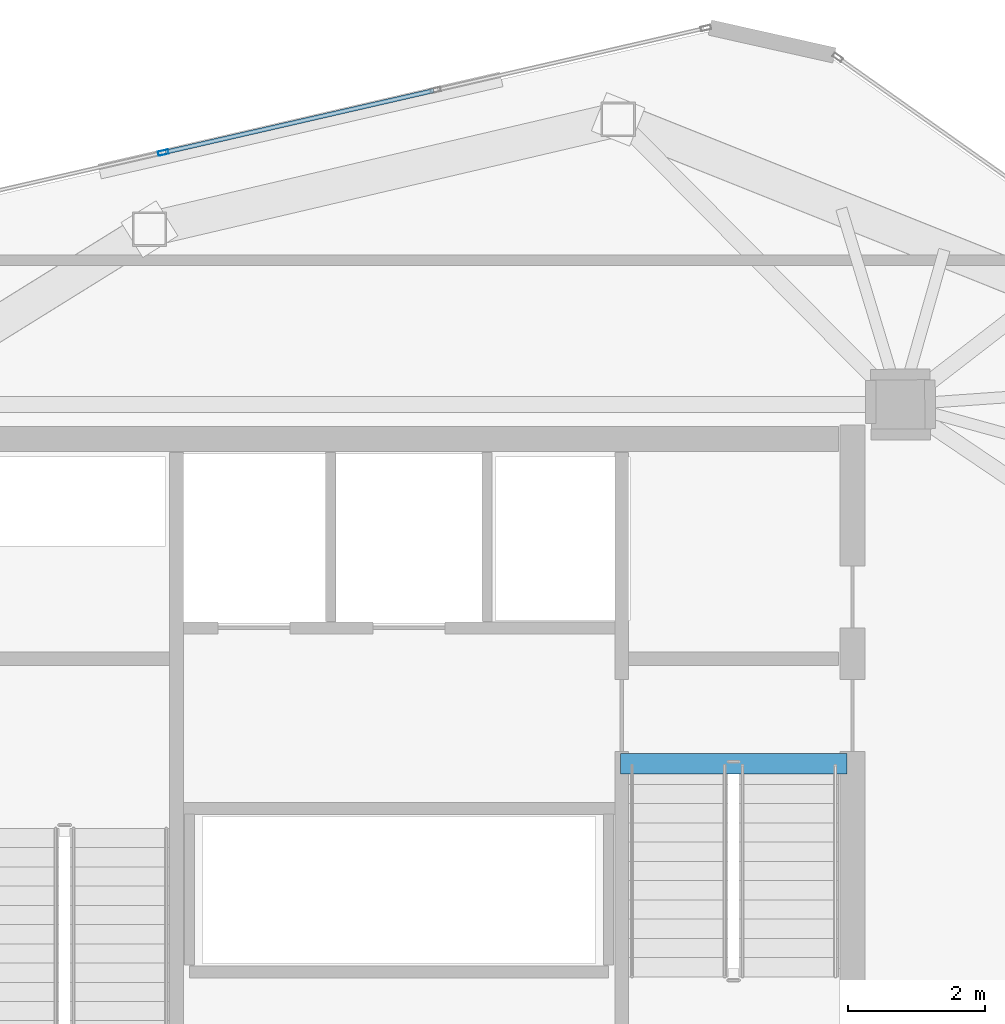
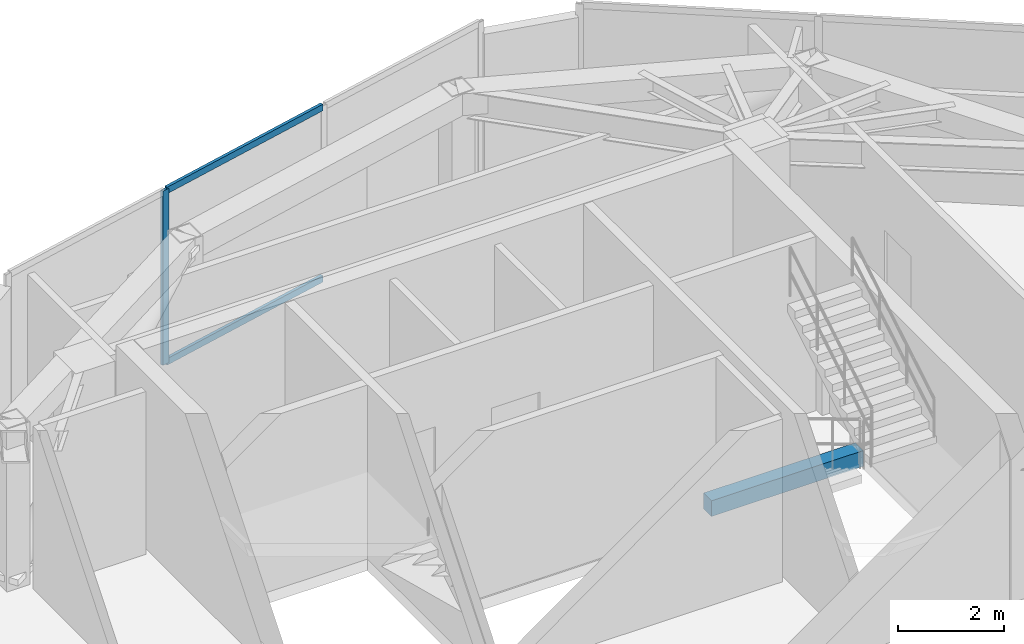
# One storey, part 12 of 21: 3 members, 1 beam, 1 element without a shape of its own.
"""IFC4 building model written with IfcOpenShell, lengths in metres."""

from ifc_helpers import new_model, si_unit, direction, frame, origin, origin_2d, place, context, subcontext, project, spatial, rectangle, hollow_rectangle, extrude, source, transform, mapped, material, layer, layer_set, material_profile, profile_set, type_object, type_shapes, element, aggregate, save


model = new_model("IFC4")

# Units and contexts
model_context = context("Model", 3, precision=1e-05, world=origin(), true_north=direction((0.0, 1.0)))
body_context = subcontext(model_context, "Body", "Model", "MODEL_VIEW")
ifc_project = project(units=[si_unit("LENGTHUNIT", "METRE"), si_unit("AREAUNIT", "SQUARE_METRE"), si_unit("VOLUMEUNIT", "CUBIC_METRE"), si_unit("PLANEANGLEUNIT", "RADIAN"), si_unit("MASSUNIT", "GRAM", prefix="KILO")], contexts=[model_context])

# Site, building, storey
site_placement = place(None, origin())
site = spatial("IfcSite", under=ifc_project, at=site_placement, CompositionType="ELEMENT")
building_placement = place(site_placement, origin())
building = spatial("IfcBuilding", under=site, at=building_placement, Name="Talar Marvaseh", CompositionType="ELEMENT")
storey_placement = place(building_placement, frame((0.0, 0.0, 304.0)))
storey = spatial("IfcBuildingStorey", under=building, at=storey_placement, Name="L81", CompositionType="ELEMENT", Elevation=304.0)

# Beam
ifc_material_1 = material(Name="Concrete C40/50", Category="concrete")
ifc_material_profile_1 = material_profile(ifc_material_1, rectangle(XDim=0.300048828125, YDim=0.360107421875, at=origin_2d()), Name="RC300x360")
ifc_profile_set_1 = profile_set([ifc_material_profile_1], Name="Concrete C40/50")
beam_type = type_object("IfcBeamType", Name="Concrete Stair Landing Trimmer Beam RC300x360", PredefinedType="SPANDREL", material=ifc_profile_set_1)
beam_placement = place(storey_placement, frame((29.219970703125, 31.669921875, -0.179931640625), z_axis=(1.0, 0.0, 0.0), x_axis=(0.0, 1.0, 0.0)))
element("IfcBeam", 1, at=beam_placement, inside=storey, type_object=beam_type, Name="L81 ST-2 Stair Nosing Trimmer Beam", PredefinedType="SPANDREL", context=body_context, shape_type="SweptSolid", body=[
    extrude(rectangle(XDim=0.300048828125, YDim=0.360107421875, at=origin_2d()), origin(), (0.0, 0.0, 1.0), 3.300048828125),
])

# Curtain wall, members
ifc_material_2 = material(Name="Architectural Aluminium", Category="aluminium")
ifc_layer = layer(ifc_material_2, 0.2099609375)
ifc_layer_set = layer_set([ifc_layer], Name="Architectural Aluminium")
curtain_wall_type = type_object("IfcCurtainWallType", Name="Crown Plant Acoustic Spandrel Curtain Wall", PredefinedType="NOTDEFINED", material=ifc_layer_set)
curtain_wall_placement = place(storey_placement, origin())
curtain_wall = element("IfcCurtainWall", 2, at=curtain_wall_placement, inside=storey, type_object=curtain_wall_type, Name="L81 Crown Plant Acoustic Spandrel Curtain Wall", PredefinedType="NOTDEFINED")
ifc_material_profile_2 = material_profile(ifc_material_2, hollow_rectangle(XDim=0.06494140625, YDim=0.14990234375, WallThickness=0.00390625, at=origin_2d()), Name="RHS150x65x4")
ifc_profile_set_2 = profile_set([ifc_material_profile_2], Name="Architectural Aluminium")
member_type_1 = type_object("IfcMemberType", Name="Unitised Curtain Wall Slim Transom RHS150x65x4", PredefinedType="USERDEFINED", material=ifc_profile_set_2)
shared_shape_1 = source(origin(), body_context, "Body", "SweptSolid", [
    extrude(hollow_rectangle(XDim=0.06494140625, YDim=0.14990234375, WallThickness=0.00390625, at=origin_2d()), origin(), (0.0, 0.0, 1.0), 4.00390625),
])
type_shapes(member_type_1, [shared_shape_1])
member_1_placement = place(storey_placement, frame((22.5986328125, 40.5751953125, 0.032470703125), z_axis=(0.974639299304, 0.223781670949, 0.0), x_axis=(-0.223781670949, 0.974639299304, 0.0)))
member_1 = element("IfcMember", 3, at=member_1_placement, type_object=member_type_1, Name="CW-CRN transom 2.1", ObjectType="TRANSOM", PredefinedType="USERDEFINED", context=body_context, shape_type="MappedRepresentation", body=[
    mapped(shared_shape_1, transform((0.0, 0.0, 0.0), x_axis=(1.0, 0.0, 0.0), y_axis=(0.0, 1.0, 0.0), z_axis=(0.0, 0.0, 1.0), scale=1.0)),
])
member_2_placement = place(storey_placement, frame((22.5986328125, 40.5751953125, 3.967529296875), z_axis=(0.974639299304, 0.223781670949, 0.0), x_axis=(-0.223781670949, 0.974639299304, 0.0)))
member_2 = element("IfcMember", 4, at=member_2_placement, type_object=member_type_1, Name="CW-CRN transom 2.2", ObjectType="TRANSOM", PredefinedType="USERDEFINED", context=body_context, shape_type="MappedRepresentation", body=[
    mapped(shared_shape_1, transform((0.0, 0.0, 0.0), x_axis=(1.0, 0.0, 0.0), y_axis=(0.0, 1.0, 0.0), z_axis=(0.0, 0.0, 1.0), scale=1.0)),
])
ifc_material_profile_3 = material_profile(ifc_material_2, hollow_rectangle(XDim=0.06494140625, YDim=0.14990234375, WallThickness=0.00390625, at=origin_2d()), Name="RHS150x65x4")
ifc_profile_set_3 = profile_set([ifc_material_profile_3], Name="Architectural Aluminium")
member_type_2 = type_object("IfcMemberType", Name="Unitised Curtain Wall Slim Mullion RHS150x65x4", PredefinedType="MULLION", material=ifc_profile_set_3)
shared_shape_2 = source(origin(), body_context, "Body", "SweptSolid", [
    extrude(hollow_rectangle(XDim=0.06494140625, YDim=0.14990234375, WallThickness=0.00390625, at=origin_2d()), origin(), (0.0, 0.0, 1.0), 4.0),
])
type_shapes(member_type_2, [shared_shape_2])
member_3_placement = place(storey_placement, frame((22.567138671875, 40.568115234375, 0.0), z_axis=(0.0, 0.0, 1.0), x_axis=(-0.223791926761, 0.974636944465, 0.0)))
member_3 = element("IfcMember", 5, at=member_3_placement, type_object=member_type_2, Name="CW-CRN mullion 2", PredefinedType="MULLION", context=body_context, shape_type="MappedRepresentation", body=[
    mapped(shared_shape_2, transform((0.0, 0.0, 0.0), x_axis=(1.0, 0.0, 0.0), y_axis=(0.0, 1.0, 0.0), z_axis=(0.0, 0.0, 1.0), scale=1.0)),
])
aggregate(curtain_wall, [member_3, member_1, member_2])

save(model, "model.ifc")
